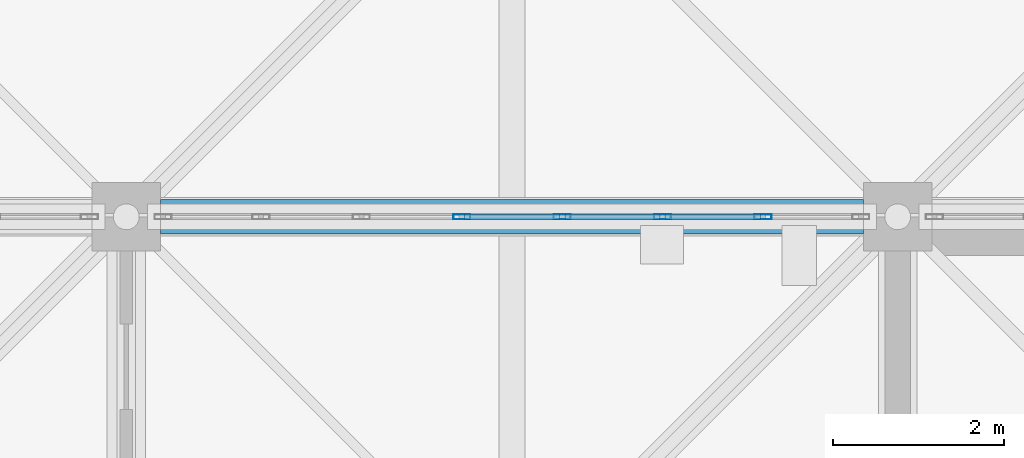
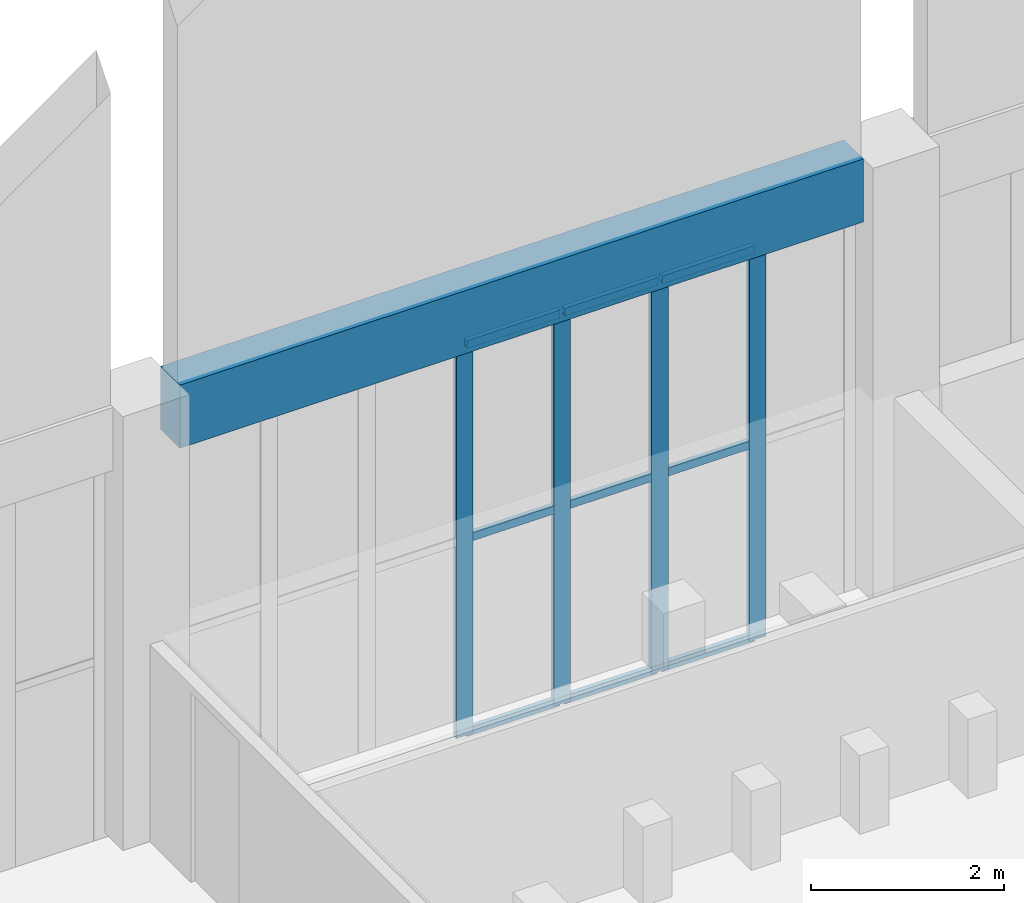
# One storey, part 137 of 437: 13 members, 1 beam, 1 element without a shape of its own.
"""IFC4 building model written with IfcOpenShell, lengths in metres."""

from ifc_helpers import new_model, si_unit, direction, frame, origin, origin_2d, place, context, subcontext, project, spatial, rectangle, hollow_rectangle, extrude, material, layer, layer_set, material_profile, profile_set, type_object, element, aggregate, save


model = new_model("IFC4")

# Units and contexts
model_context = context("Model", 3, precision=1e-05, world=origin(), true_north=direction((0.0, 1.0)))
body_context = subcontext(model_context, "Body", "Model", "MODEL_VIEW")
ifc_project = project(units=[si_unit("LENGTHUNIT", "METRE"), si_unit("AREAUNIT", "SQUARE_METRE"), si_unit("VOLUMEUNIT", "CUBIC_METRE"), si_unit("PLANEANGLEUNIT", "RADIAN"), si_unit("MASSUNIT", "GRAM", prefix="KILO")], contexts=[model_context])

# Site, building, storey
site_placement = place(None, origin())
site = spatial("IfcSite", under=ifc_project, at=site_placement, CompositionType="ELEMENT")
building_placement = place(site_placement, origin())
building = spatial("IfcBuilding", under=site, at=building_placement, Name="Opaline Strait Convention Centre", CompositionType="ELEMENT")
storey_placement = place(building_placement, frame((0.0, 0.0, 11.5)))
storey = spatial("IfcBuildingStorey", under=building, at=storey_placement, Name="L02", CompositionType="ELEMENT", Elevation=11.5)

# Curtain wall, members
ifc_material_1 = material(Name="Aluminium framed double glazing", Category="aluminium")
ifc_layer = layer(ifc_material_1, 0.199951171875)
ifc_layer_set = layer_set([ifc_layer], Name="Aluminium framed double glazing")
curtain_wall_type = type_object("IfcCurtainWallType", Name="Curtain wall 1250", PredefinedType="NOTDEFINED", material=ifc_layer_set)
curtain_wall_placement = place(storey_placement, origin())
curtain_wall = element("IfcCurtainWall", 1, at=curtain_wall_placement, inside=storey, type_object=curtain_wall_type, Name="Curtain wall N-54-L02", PredefinedType="NOTDEFINED")
ifc_material_2 = material(Name="Aluminium alloy 6063", Category="aluminium")
ifc_material_profile_1 = material_profile(ifc_material_2, hollow_rectangle(XDim=0.06005859375, YDim=0.199951171875, WallThickness=0.00390625, at=origin_2d()), Name="MULLION 60x200x4")
ifc_profile_set_1 = profile_set([ifc_material_profile_1], Name="Aluminium alloy 6063")
member_type_1 = type_object("IfcMemberType", Name="Curtain wall mullion 60 x 200", PredefinedType="MULLION", material=ifc_profile_set_1)
member_1_placement = place(storey_placement, frame((57.914306640625, 180.0, -0.280029296875), z_axis=(0.0, 0.0, 1.0), x_axis=(0.0, 1.0, 0.0)))
member_1 = element("IfcMember", 2, at=member_1_placement, type_object=member_type_1, Name="PCW mullion 4", PredefinedType="MULLION", context=body_context, shape_type="SweptSolid", body=[
    extrude(hollow_rectangle(XDim=0.06005859375, YDim=0.199951171875, WallThickness=0.00390625, at=origin_2d()), origin(), (0.0, 0.0, 1.0), 4.97998046875),
])
member_2_placement = place(storey_placement, frame((59.085693359375, 180.0, -0.280029296875), z_axis=(0.0, 0.0, 1.0), x_axis=(0.0, 1.0, 0.0)))
member_2 = element("IfcMember", 3, at=member_2_placement, type_object=member_type_1, Name="PCW mullion 5", PredefinedType="MULLION", context=body_context, shape_type="SweptSolid", body=[
    extrude(hollow_rectangle(XDim=0.06005859375, YDim=0.199951171875, WallThickness=0.00390625, at=origin_2d()), origin(), (0.0, 0.0, 1.0), 4.97998046875),
])
member_3_placement = place(storey_placement, frame((60.257080078125, 180.0, -0.280029296875), z_axis=(0.0, 0.0, 1.0), x_axis=(0.0, 1.0, 0.0)))
member_3 = element("IfcMember", 4, at=member_3_placement, type_object=member_type_1, Name="PCW mullion 6", PredefinedType="MULLION", context=body_context, shape_type="SweptSolid", body=[
    extrude(hollow_rectangle(XDim=0.06005859375, YDim=0.199951171875, WallThickness=0.00390625, at=origin_2d()), origin(), (0.0, 0.0, 1.0), 4.97998046875),
])
member_4_placement = place(storey_placement, frame((61.4287109375, 180.0, -0.280029296875), z_axis=(0.0, 0.0, 1.0), x_axis=(0.0, 1.0, 0.0)))
member_4 = element("IfcMember", 5, at=member_4_placement, type_object=member_type_1, Name="PCW mullion 7", PredefinedType="MULLION", context=body_context, shape_type="SweptSolid", body=[
    extrude(hollow_rectangle(XDim=0.06005859375, YDim=0.199951171875, WallThickness=0.00390625, at=origin_2d()), origin(), (0.0, 0.0, 1.0), 4.97998046875),
])
ifc_material_profile_2 = material_profile(ifc_material_2, hollow_rectangle(XDim=0.06005859375, YDim=0.10009765625, WallThickness=0.0029296875, at=origin_2d()), Name="TRANSOM 60x100x3")
ifc_profile_set_2 = profile_set([ifc_material_profile_2], Name="Aluminium alloy 6063")
member_type_2 = type_object("IfcMemberType", Name="Curtain wall transom 60 x 100", PredefinedType="USERDEFINED", material=ifc_profile_set_2)
member_5_placement = place(storey_placement, frame((57.9443359375, 180.0, -0.25), z_axis=(1.0, 0.0, 0.0), x_axis=(0.0, 1.0, 0.0)))
member_5 = element("IfcMember", 6, at=member_5_placement, type_object=member_type_2, Name="PCW transom 4.1", ObjectType="TRANSOM", PredefinedType="USERDEFINED", context=body_context, shape_type="SweptSolid", body=[
    extrude(hollow_rectangle(XDim=0.06005859375, YDim=0.10009765625, WallThickness=0.0029296875, at=origin_2d()), origin(), (0.0, 0.0, 1.0), 1.111328125),
])
member_6_placement = place(storey_placement, frame((57.9443359375, 180.0, 2.2099609375), z_axis=(1.0, 0.0, 0.0), x_axis=(0.0, 1.0, 0.0)))
member_6 = element("IfcMember", 7, at=member_6_placement, type_object=member_type_2, Name="PCW transom 4.2", ObjectType="TRANSOM", PredefinedType="USERDEFINED", context=body_context, shape_type="SweptSolid", body=[
    extrude(hollow_rectangle(XDim=0.06005859375, YDim=0.10009765625, WallThickness=0.0029296875, at=origin_2d()), origin(), (0.0, 0.0, 1.0), 1.111328125),
])
member_7_placement = place(storey_placement, frame((57.9443359375, 180.0, 4.669921875), z_axis=(1.0, 0.0, 0.0), x_axis=(0.0, 1.0, 0.0)))
member_7 = element("IfcMember", 8, at=member_7_placement, type_object=member_type_2, Name="PCW transom 4.3", ObjectType="TRANSOM", PredefinedType="USERDEFINED", context=body_context, shape_type="SweptSolid", body=[
    extrude(hollow_rectangle(XDim=0.06005859375, YDim=0.10009765625, WallThickness=0.0029296875, at=origin_2d()), origin(), (0.0, 0.0, 1.0), 1.111328125),
])
member_8_placement = place(storey_placement, frame((59.11572265625, 180.0, -0.25), z_axis=(1.0, 0.0, 0.0), x_axis=(0.0, 1.0, 0.0)))
member_8 = element("IfcMember", 9, at=member_8_placement, type_object=member_type_2, Name="PCW transom 5.1", ObjectType="TRANSOM", PredefinedType="USERDEFINED", context=body_context, shape_type="SweptSolid", body=[
    extrude(hollow_rectangle(XDim=0.06005859375, YDim=0.10009765625, WallThickness=0.0029296875, at=origin_2d()), origin(), (0.0, 0.0, 1.0), 1.111572265625),
])
member_9_placement = place(storey_placement, frame((59.11572265625, 180.0, 2.2099609375), z_axis=(1.0, 0.0, 0.0), x_axis=(0.0, 1.0, 0.0)))
member_9 = element("IfcMember", 10, at=member_9_placement, type_object=member_type_2, Name="PCW transom 5.2", ObjectType="TRANSOM", PredefinedType="USERDEFINED", context=body_context, shape_type="SweptSolid", body=[
    extrude(hollow_rectangle(XDim=0.06005859375, YDim=0.10009765625, WallThickness=0.0029296875, at=origin_2d()), origin(), (0.0, 0.0, 1.0), 1.111572265625),
])
member_10_placement = place(storey_placement, frame((59.11572265625, 180.0, 4.669921875), z_axis=(1.0, 0.0, 0.0), x_axis=(0.0, 1.0, 0.0)))
member_10 = element("IfcMember", 11, at=member_10_placement, type_object=member_type_2, Name="PCW transom 5.3", ObjectType="TRANSOM", PredefinedType="USERDEFINED", context=body_context, shape_type="SweptSolid", body=[
    extrude(hollow_rectangle(XDim=0.06005859375, YDim=0.10009765625, WallThickness=0.0029296875, at=origin_2d()), origin(), (0.0, 0.0, 1.0), 1.111572265625),
])
member_11_placement = place(storey_placement, frame((60.287109375, 180.0, -0.25), z_axis=(1.0, 0.0, 0.0), x_axis=(0.0, 1.0, 0.0)))
member_11 = element("IfcMember", 12, at=member_11_placement, type_object=member_type_2, Name="PCW transom 6.1", ObjectType="TRANSOM", PredefinedType="USERDEFINED", context=body_context, shape_type="SweptSolid", body=[
    extrude(hollow_rectangle(XDim=0.06005859375, YDim=0.10009765625, WallThickness=0.0029296875, at=origin_2d()), origin(), (0.0, 0.0, 1.0), 1.111572265625),
])
member_12_placement = place(storey_placement, frame((60.287109375, 180.0, 2.2099609375), z_axis=(1.0, 0.0, 0.0), x_axis=(0.0, 1.0, 0.0)))
member_12 = element("IfcMember", 13, at=member_12_placement, type_object=member_type_2, Name="PCW transom 6.2", ObjectType="TRANSOM", PredefinedType="USERDEFINED", context=body_context, shape_type="SweptSolid", body=[
    extrude(hollow_rectangle(XDim=0.06005859375, YDim=0.10009765625, WallThickness=0.0029296875, at=origin_2d()), origin(), (0.0, 0.0, 1.0), 1.111572265625),
])
member_13_placement = place(storey_placement, frame((60.287109375, 180.0, 4.669921875), z_axis=(1.0, 0.0, 0.0), x_axis=(0.0, 1.0, 0.0)))
member_13 = element("IfcMember", 14, at=member_13_placement, type_object=member_type_2, Name="PCW transom 6.3", ObjectType="TRANSOM", PredefinedType="USERDEFINED", context=body_context, shape_type="SweptSolid", body=[
    extrude(hollow_rectangle(XDim=0.06005859375, YDim=0.10009765625, WallThickness=0.0029296875, at=origin_2d()), origin(), (0.0, 0.0, 1.0), 1.111572265625),
])
aggregate(curtain_wall, [member_1, member_2, member_3, member_4, member_5, member_6, member_7, member_8, member_9, member_10, member_11, member_12, member_13])

# Beam
ifc_material_3 = material(Name="Concrete C35", Category="concrete")
ifc_material_profile_3 = material_profile(ifc_material_3, rectangle(XDim=0.39990234375, YDim=0.800048828125, at=origin_2d()), Name="RC 400x800")
ifc_profile_set_3 = profile_set([ifc_material_profile_3], Name="Concrete C35")
beam_type = type_object("IfcBeamType", Name="RC ground beam 400x800 C35", PredefinedType="BEAM", material=ifc_profile_set_3)
beam_placement = place(storey_placement, frame((54.39990234375, 180.0, 5.10009765625), z_axis=(1.0, 0.0, 0.0), x_axis=(0.0, 1.0, 0.0)))
element("IfcBeam", 15, at=beam_placement, inside=storey, type_object=beam_type, Name="PGB1 end wall head beam 6", PredefinedType="BEAM", context=body_context, shape_type="SweptSolid", body=[
    extrude(rectangle(XDim=0.39990234375, YDim=0.800048828125, at=origin_2d()), origin(), (0.0, 0.0, 1.0), 8.2001953125),
])

save(model, "model.ifc")
